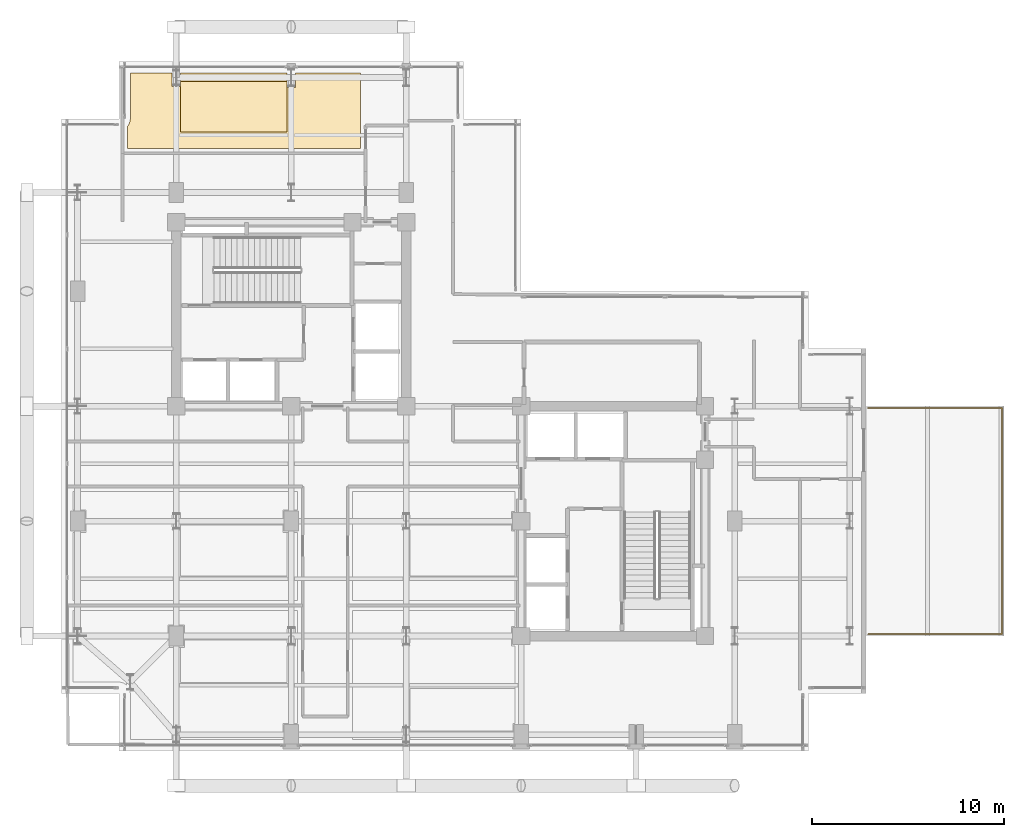
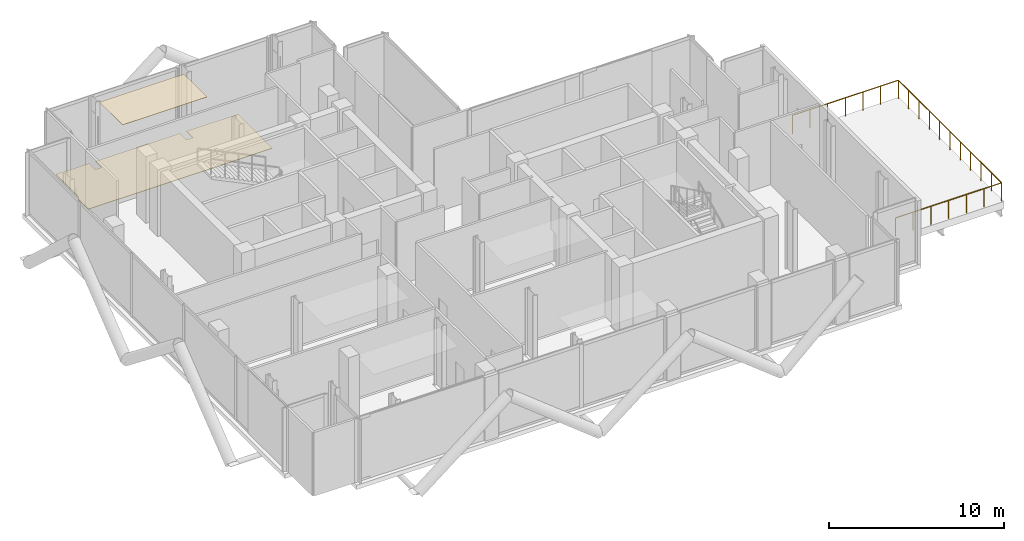
# One storey, part 19 of 19: 2 coverings, 1 railing.
"""IFC4 building model written with IfcOpenShell, lengths in metres."""

import ifcopenshell
import ifcopenshell.guid

model = None  # the IFC model being written
_history = None  # IfcOwnerHistory: only IFC2X3 demands one
_inside = {}  # id of a spatial element -> (the spatial element, [elements in it])
_under = {}  # id of a project, library or spatial element -> (it, [spatial elements below it])
_declared = {}  # id of a project -> (the project, [libraries it declares])
_typed = {}  # id of a type object -> (the type object, [elements of that type])
_made_of = {}  # id of a material, layer set ... -> (it, [elements and type objects made of it])


def new_model(schema):
    """Start an empty IFC model of exactly this schema.

    Asked for "IFC4X3", IfcOpenShell would pick the latest addendum, in which some entities
    have other attributes; the version numbers below select the first issue.
    IFC2X3 requires an IfcOwnerHistory on every rooted entity: one is made here for all.
    """
    global model, _history
    if schema == "IFC4X3":
        model = ifcopenshell.file(schema_version=(4, 3, 0, 0))
    else:
        model = ifcopenshell.file(schema=schema)
    _inside.clear()
    _under.clear()
    _declared.clear()
    _typed.clear()
    _made_of.clear()
    _history = None
    if model.schema == "IFC2X3":
        org = make("IfcOrganization", Name="unknown")
        user = make(
            "IfcPersonAndOrganization",
            ThePerson=make("IfcPerson", FamilyName="unknown"),
            TheOrganization=org,
        )
        app = make(
            "IfcApplication",
            ApplicationDeveloper=org,
            Version="unknown",
            ApplicationFullName="unknown",
            ApplicationIdentifier="unknown",
        )
        _history = make(
            "IfcOwnerHistory",
            OwningUser=user,
            OwningApplication=app,
            ChangeAction="ADDED",
            CreationDate=0,
        )
    return model


def make(cls, **values):
    """One entity of the class cls with the attributes given. An attribute that is None is left unset."""
    return model.create_entity(
        cls, **{name: value for name, value in values.items() if value is not None}
    )


def rooted(cls, **values):
    """An entity with a GlobalId (a new one), such as an element, a storey or a relation."""
    return make(cls, GlobalId=ifcopenshell.guid.new(), OwnerHistory=_history, **values)


def si_unit(unit_type, name, prefix=None):
    """IfcSIUnit, for example si_unit("LENGTHUNIT", "METRE", prefix="MILLI")."""
    return make("IfcSIUnit", UnitType=unit_type, Prefix=prefix, Name=name)


def assignment(units):
    """IfcUnitAssignment: the units of a project."""
    return None if units is None else make("IfcUnitAssignment", Units=units)


def point(xyz):
    """IfcCartesianPoint."""
    return None if xyz is None else make("IfcCartesianPoint", Coordinates=xyz)


def direction(xyz):
    """IfcDirection."""
    return None if xyz is None else make("IfcDirection", DirectionRatios=xyz)


def frame(location, z_axis=None, x_axis=None):
    """IfcAxis2Placement3D, a coordinate frame: its origin and axes. An axis left out is left unset."""
    return make(
        "IfcAxis2Placement3D",
        Location=point(location),
        Axis=direction(z_axis),
        RefDirection=direction(x_axis),
    )


def frame_2d(location, x_axis=None):
    """IfcAxis2Placement2D, a coordinate frame in the plane: its origin and x axis."""
    return make(
        "IfcAxis2Placement2D", Location=point(location), RefDirection=direction(x_axis)
    )


def origin():
    """The frame at (0, 0, 0) with its axes left unset."""
    return frame((0.0, 0.0, 0.0))


def origin_2d():
    """The frame at (0, 0) in the plane with its x axis left unset."""
    return frame_2d((0.0, 0.0))


def place(relative_to, where):
    """IfcLocalPlacement: puts the frame where relative to a parent placement (None: the world)."""
    return make(
        "IfcLocalPlacement", PlacementRelTo=relative_to, RelativePlacement=where
    )


def context(
    kind, dimensions, precision=None, world=None, true_north=None, identifier=None
):
    """IfcGeometricRepresentationContext, for example the 3D "Model" context."""
    return make(
        "IfcGeometricRepresentationContext",
        ContextIdentifier=identifier,
        ContextType=kind,
        CoordinateSpaceDimension=dimensions,
        Precision=precision,
        WorldCoordinateSystem=world,
        TrueNorth=true_north,
    )


def subcontext(parent, identifier, kind, view, scale=None):
    """IfcGeometricRepresentationSubContext, for example "Body" below "Model"."""
    return make(
        "IfcGeometricRepresentationSubContext",
        ContextIdentifier=identifier,
        ContextType=kind,
        ParentContext=parent,
        TargetScale=scale,
        TargetView=view,
    )


def project(units=None, contexts=None):
    """IfcProject with its units and contexts."""
    return rooted(
        "IfcProject",
        Name="project",
        RepresentationContexts=contexts,
        UnitsInContext=assignment(units),
    )


def spatial(cls, under=None, at=None, **own):
    """A site, building, storey or space (cls), placed at a placement, below another one or the project."""
    s = rooted(cls, ObjectPlacement=at, **own)
    if under is not None:
        _under.setdefault(under.id(), (under, []))[1].append(s)
    return s


def polyline(points):
    """IfcPolyline through the points."""
    return make("IfcPolyline", Points=[point(p) for p in points])


def profile(cls, at=None, kind="AREA", **sizes):
    """A parametric profile (cls). Its sizes go by their IFC names, for example OverallWidth=200.0."""
    return make(cls, ProfileType=kind, Position=at, **sizes)


def rectangle(**sizes):
    """IfcRectangleProfileDef."""
    return profile("IfcRectangleProfileDef", **sizes)


def outline(outer, holes=None, kind="AREA"):
    """IfcArbitraryClosedProfileDef: a profile drawn as a closed curve; with holes, ...WithVoids."""
    if holes is None:
        return make("IfcArbitraryClosedProfileDef", ProfileType=kind, OuterCurve=outer)
    return make(
        "IfcArbitraryProfileDefWithVoids",
        ProfileType=kind,
        OuterCurve=outer,
        InnerCurves=holes,
    )


def extrude(swept, where, along, depth):
    """IfcExtrudedAreaSolid: the profile swept, set in the frame where, extruded along a direction by depth."""
    return make(
        "IfcExtrudedAreaSolid",
        SweptArea=swept,
        Position=where,
        ExtrudedDirection=direction(along),
        Depth=depth,
    )


def shape(context_of_items, identifier, shape_type, items):
    """IfcShapeRepresentation: the items that make up one representation, for example the "Body"."""
    return make(
        "IfcShapeRepresentation",
        ContextOfItems=context_of_items,
        RepresentationIdentifier=identifier,
        RepresentationType=shape_type,
        Items=items,
    )


def material(Name=None, Category=None):
    """IfcMaterial."""
    return make("IfcMaterial", Name=Name, Category=Category)


def layer(
    of_material, thickness, ventilated=None, Name=None, Category=None, Priority=None
):
    """IfcMaterialLayer: one layer of a wall or slab, of a material (None: an air gap)."""
    return make(
        "IfcMaterialLayer",
        Material=of_material,
        LayerThickness=thickness,
        IsVentilated=ventilated,
        Name=Name,
        Category=Category,
        Priority=Priority,
    )


def layer_set(layers, Name=None):
    """IfcMaterialLayerSet."""
    return make("IfcMaterialLayerSet", MaterialLayers=layers, LayerSetName=Name)


def made_of(thing, what):
    """Note that an element or type object is made of a material, layer set ...; save() writes the relation."""
    if what is not None:
        _made_of.setdefault(what.id(), (what, []))[1].append(thing)
    return thing


def type_object(cls, material=None, **own):
    """A type object (cls), such as IfcWallType, which elements share."""
    return made_of(rooted(cls, **own), material)


def element(
    cls,
    number,
    at=None,
    inside=None,
    cuts=None,
    type_object=None,
    material=None,
    context=None,
    identifier="Body",
    shape_type=None,
    held_by="IfcProductDefinitionShape",
    body=None,
    shapes=None,
    **own,
):
    """One element of the class cls, such as IfcWall. Its Tag is "e" and its number.

    at: its placement. inside: the storey or other place that contains it. cuts: it is an
    opening in that element (IfcRelVoidsElement). A single representation is given by context,
    identifier, shape_type and body (its items); several are given by shapes. held_by: the class
    of the entity that holds the representations. save() writes the other relations.
    """
    e = rooted(cls, Tag="e%d" % number, ObjectPlacement=at, **own)
    if body is not None:
        shapes = [shape(context, identifier, shape_type, body)]
    if shapes is not None:
        e.Representation = make(held_by, Representations=shapes)
    if inside is not None:
        _inside.setdefault(inside.id(), (inside, []))[1].append(e)
    if cuts is not None:
        rooted(
            "IfcRelVoidsElement", RelatingBuildingElement=cuts, RelatedOpeningElement=e
        )
    if type_object is not None:
        _typed.setdefault(type_object.id(), (type_object, []))[1].append(e)
    return made_of(e, material)


def aggregate(whole, parts):
    """IfcRelAggregates: a whole, such as a stair, and the parts it consists of."""
    return rooted("IfcRelAggregates", RelatingObject=whole, RelatedObjects=parts)


def save(model, path):
    """Write the relations noted so far, then the file.

    IfcRelAggregates (storeys below a building ...), IfcRelContainedInSpatialStructure (elements
    in a storey), IfcRelDefinesByType, IfcRelAssociatesMaterial and IfcRelDeclares: one each for
    every whole, place, type object, material and project.
    """
    for whole, parts in _under.values():
        aggregate(whole, parts)
    for where, things in _inside.values():
        rooted(
            "IfcRelContainedInSpatialStructure",
            RelatedElements=things,
            RelatingStructure=where,
        )
    for kind, things in _typed.values():
        rooted("IfcRelDefinesByType", RelatedObjects=things, RelatingType=kind)
    for what, things in _made_of.values():
        rooted("IfcRelAssociatesMaterial", RelatedObjects=things, RelatingMaterial=what)
    for by, libraries in _declared.values():
        rooted("IfcRelDeclares", RelatingContext=by, RelatedDefinitions=libraries)
    model.write(path)


model = new_model("IFC4")

# Units and contexts
model_context = context("Model", 3, precision=1e-05, world=origin(), true_north=direction((0.0, 1.0)))
body_context = subcontext(model_context, "Body", "Model", "MODEL_VIEW")
ifc_project = project(units=[si_unit("LENGTHUNIT", "METRE"), si_unit("AREAUNIT", "SQUARE_METRE"), si_unit("VOLUMEUNIT", "CUBIC_METRE"), si_unit("PLANEANGLEUNIT", "RADIAN"), si_unit("MASSUNIT", "GRAM", prefix="KILO"), si_unit("THERMODYNAMICTEMPERATUREUNIT", "KELVIN"), si_unit("POWERUNIT", "WATT")], contexts=[model_context])

# Site, building, storey
site_placement = place(None, origin())
site = spatial("IfcSite", under=ifc_project, at=site_placement, CompositionType="ELEMENT")
building_placement = place(site_placement, origin())
building = spatial("IfcBuilding", under=site, at=building_placement, Name="Svarakhadi Broadcast Tower", CompositionType="ELEMENT")
storey_placement = place(building_placement, frame((0.0, 0.0, 204.0)))
storey = spatial("IfcBuildingStorey", under=building, at=storey_placement, Name="L50", CompositionType="ELEMENT", Elevation=204.0)

# Coverings
ifc_material_1 = material(Name="Micro-Perforated Mineral Fibre Acoustic Ceiling Tile", Category="mineral_fibre")
ifc_layer_1 = layer(ifc_material_1, 0.02490234375)
ifc_layer_set_1 = layer_set([ifc_layer_1], Name="Micro-Perforated Mineral Fibre Acoustic Ceiling Tile")
covering_type_1 = type_object("IfcCoveringType", Name="Cov_Ceiling_Tile", PredefinedType="CEILING", material=ifc_layer_set_1)
covering_1_placement = place(storey_placement, frame((0.0, 0.0, 4.4150390625)))
element("IfcCovering", 1, at=covering_1_placement, inside=storey, type_object=covering_type_1, Name="L50 L50 Aquatic Club Attendant Office Acoustic Ceiling", PredefinedType="CEILING", context=body_context, shape_type="SweptSolid", body=[
    extrude(outline(polyline([(6.2099609375, 34.93994140625), (11.7900390625, 34.93994140625), (11.7900390625, 34.639892578125), (11.7900390625, 32.300048828125), (6.2099609375, 32.300048828125), (6.2099609375, 34.68994140625), (6.2099609375, 34.93994140625)])), origin(), (0.0, 0.0, 1.0), 0.02490234375),
])
ifc_material_2 = material(Name="Honed Konkan Basalt Stone Tile Flooring", Category="masonry")
ifc_layer_2 = layer(ifc_material_2, 0.034912109375)
ifc_layer_set_2 = layer_set([ifc_layer_2], Name="Honed Konkan Basalt Stone Tile Flooring")
covering_type_2 = type_object("IfcCoveringType", Name="Cov_Floor_Basalt", PredefinedType="FLOORING", material=ifc_layer_set_2)
covering_2_placement = place(storey_placement, origin())
element("IfcCovering", 2, at=covering_2_placement, inside=storey, type_object=covering_type_2, Name="L50 L50 Aquatic Club Attendant Office Floor Finish", PredefinedType="FLOORING", context=body_context, shape_type="SweptSolid", body=[
    extrude(outline(polyline([(3.470947265625, 32.6279296875), (3.4951171875, 32.660888671875), (3.5029296875, 32.674072265625), (3.52392578125, 32.708984375), (3.531982421875, 32.722900390625), (3.550048828125, 32.760009765625), (3.556884765625, 32.778076171875), (3.571044921875, 32.81689453125), (3.576904296875, 32.833984375), (3.5869140625, 32.8740234375), (3.590087890625, 32.89208984375), (3.595947265625, 32.93310546875), (3.597900390625, 32.949951171875), (3.60009765625, 32.990966796875), (3.60009765625, 33.0), (3.60009765625, 35.389892578125), (5.7900390625, 35.389892578125), (5.7900390625, 34.68994140625), (6.2099609375, 34.68994140625), (6.2099609375, 35.389892578125), (11.7900390625, 35.389892578125), (11.7900390625, 34.639892578125), (12.2099609375, 34.639892578125), (12.2099609375, 35.389892578125), (15.6201171875, 35.389892578125), (15.6201171875, 31.4599609375), (3.4599609375, 31.4599609375), (3.4599609375, 32.614990234375), (3.470947265625, 32.6279296875)])), origin(), (0.0, 0.0, 1.0), 0.034912109375),
])

# Railing
ifc_material_3 = material(Name="Laminated Structural SentryGlas Balustrade 25.5 mm", Category="glass")
railing_type = type_object("IfcRailingType", Name="Guard_SkyPool_GR03", PredefinedType="BALUSTRADE", material=ifc_material_3)
railing_placement = place(storey_placement, frame((42.10009765625, 6.10009765625, 0.0)))
element("IfcRailing", 3, at=railing_placement, inside=storey, type_object=railing_type, Name="L50 Cantilevered Sky Pool Structural Glass Guard GR-03", PredefinedType="BALUSTRADE", context=body_context, shape_type="SweptSolid", body=[
    extrude(rectangle(XDim=0.048095703125, YDim=0.048095703125, at=origin_2d()), frame((0.0, 0.0, 1.27587890625), z_axis=(1.0, 0.0, 0.0), x_axis=(0.0, 1.0, 0.0)), (0.0, 0.0, 1.0), 7.0),
    extrude(rectangle(XDim=0.048095703125, YDim=0.048095703125, at=origin_2d()), frame((7.0, 0.0, 1.27587890625), z_axis=(0.0, 1.0, 0.0), x_axis=(-1.0, 0.0, 0.0)), (0.0, 0.0, 1.0), 11.7998046875),
    extrude(rectangle(XDim=0.048095703125, YDim=0.048095703125, at=origin_2d()), frame((7.0, 11.7998046875, 1.27587890625), z_axis=(-1.0, 0.0, 0.0), x_axis=(0.0, -1.0, 0.0)), (0.0, 0.0, 1.0), 7.0),
    extrude(rectangle(XDim=0.0419921875, YDim=0.0419921875, at=origin_2d()), origin(), (0.0, 0.0, 1.0), 1.251953125),
    extrude(rectangle(XDim=0.0419921875, YDim=0.0419921875, at=origin_2d()), frame((1.166748046875, 0.0, 0.0)), (0.0, 0.0, 1.0), 1.251953125),
    extrude(rectangle(XDim=0.0419921875, YDim=0.0419921875, at=origin_2d()), frame((2.333251953125, 0.0, 0.0)), (0.0, 0.0, 1.0), 1.251953125),
    extrude(rectangle(XDim=0.0419921875, YDim=0.0419921875, at=origin_2d()), frame((3.5, 0.0, 0.0)), (0.0, 0.0, 1.0), 1.251953125),
    extrude(rectangle(XDim=0.0419921875, YDim=0.0419921875, at=origin_2d()), frame((4.666748046875, 0.0, 0.0)), (0.0, 0.0, 1.0), 1.251953125),
    extrude(rectangle(XDim=0.0419921875, YDim=0.0419921875, at=origin_2d()), frame((5.833251953125, 0.0, 0.0)), (0.0, 0.0, 1.0), 1.251953125),
    extrude(rectangle(XDim=0.0419921875, YDim=0.0419921875, at=origin_2d()), frame((7.0, 0.0, 0.0)), (0.0, 0.0, 1.0), 1.251953125),
    extrude(rectangle(XDim=0.0419921875, YDim=0.0419921875, at=origin_2d()), frame((7.0, 1.179931640625, 0.0)), (0.0, 0.0, 1.0), 1.251953125),
    extrude(rectangle(XDim=0.0419921875, YDim=0.0419921875, at=origin_2d()), frame((7.0, 2.35986328125, 0.0)), (0.0, 0.0, 1.0), 1.251953125),
    extrude(rectangle(XDim=0.0419921875, YDim=0.0419921875, at=origin_2d()), frame((7.0, 3.5400390625, 0.0)), (0.0, 0.0, 1.0), 1.251953125),
    extrude(rectangle(XDim=0.0419921875, YDim=0.0419921875, at=origin_2d()), frame((7.0, 4.719970703125, 0.0)), (0.0, 0.0, 1.0), 1.251953125),
    extrude(rectangle(XDim=0.0419921875, YDim=0.0419921875, at=origin_2d()), frame((7.0, 5.89990234375, 0.0)), (0.0, 0.0, 1.0), 1.251953125),
    extrude(rectangle(XDim=0.0419921875, YDim=0.0419921875, at=origin_2d()), frame((7.0, 7.079833984375, 0.0)), (0.0, 0.0, 1.0), 1.251953125),
    extrude(rectangle(XDim=0.0419921875, YDim=0.0419921875, at=origin_2d()), frame((7.0, 8.259765625, 0.0)), (0.0, 0.0, 1.0), 1.251953125),
    extrude(rectangle(XDim=0.0419921875, YDim=0.0419921875, at=origin_2d()), frame((7.0, 9.43994140625, 0.0)), (0.0, 0.0, 1.0), 1.251953125),
    extrude(rectangle(XDim=0.0419921875, YDim=0.0419921875, at=origin_2d()), frame((7.0, 10.619873046875, 0.0)), (0.0, 0.0, 1.0), 1.251953125),
    extrude(rectangle(XDim=0.0419921875, YDim=0.0419921875, at=origin_2d()), frame((7.0, 11.7998046875, 0.0)), (0.0, 0.0, 1.0), 1.251953125),
    extrude(rectangle(XDim=0.0419921875, YDim=0.0419921875, at=origin_2d()), frame((5.833251953125, 11.7998046875, 0.0)), (0.0, 0.0, 1.0), 1.251953125),
    extrude(rectangle(XDim=0.0419921875, YDim=0.0419921875, at=origin_2d()), frame((4.666748046875, 11.7998046875, 0.0)), (0.0, 0.0, 1.0), 1.251953125),
    extrude(rectangle(XDim=0.0419921875, YDim=0.0419921875, at=origin_2d()), frame((3.5, 11.7998046875, 0.0)), (0.0, 0.0, 1.0), 1.251953125),
    extrude(rectangle(XDim=0.0419921875, YDim=0.0419921875, at=origin_2d()), frame((2.333251953125, 11.7998046875, 0.0)), (0.0, 0.0, 1.0), 1.251953125),
    extrude(rectangle(XDim=0.0419921875, YDim=0.0419921875, at=origin_2d()), frame((1.166748046875, 11.7998046875, 0.0)), (0.0, 0.0, 1.0), 1.251953125),
    extrude(rectangle(XDim=0.0419921875, YDim=0.0419921875, at=origin_2d()), frame((0.0, 11.7998046875, 0.0)), (0.0, 0.0, 1.0), 1.251953125),
])

save(model, "model.ifc")
